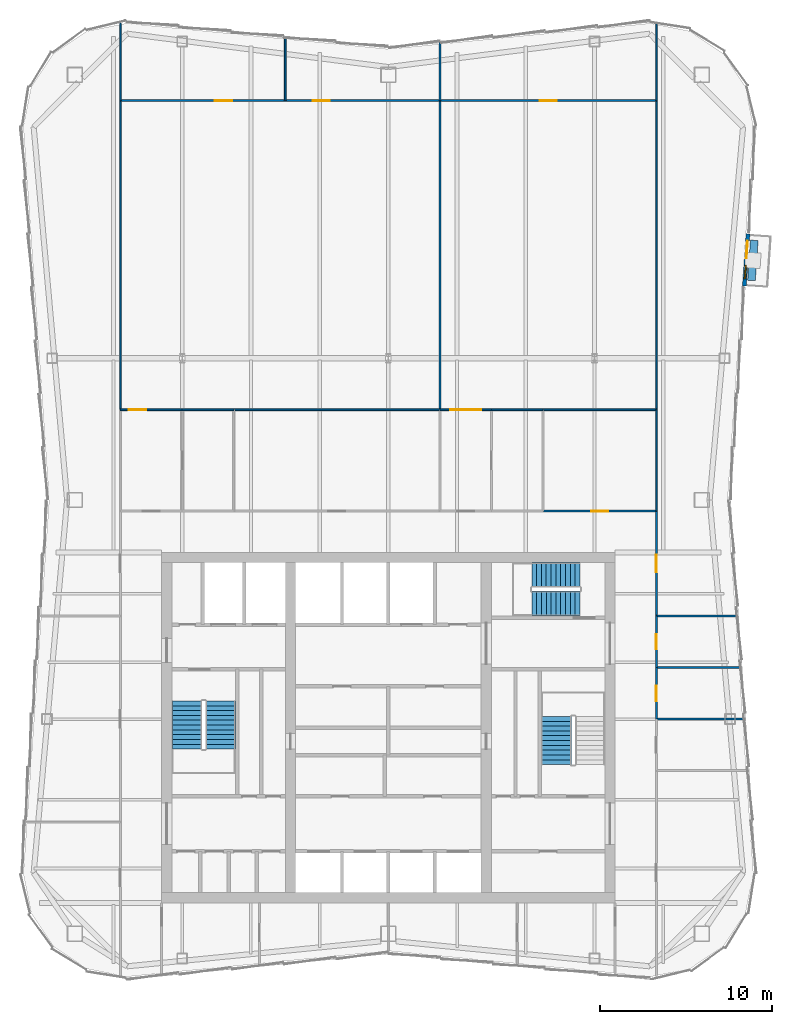
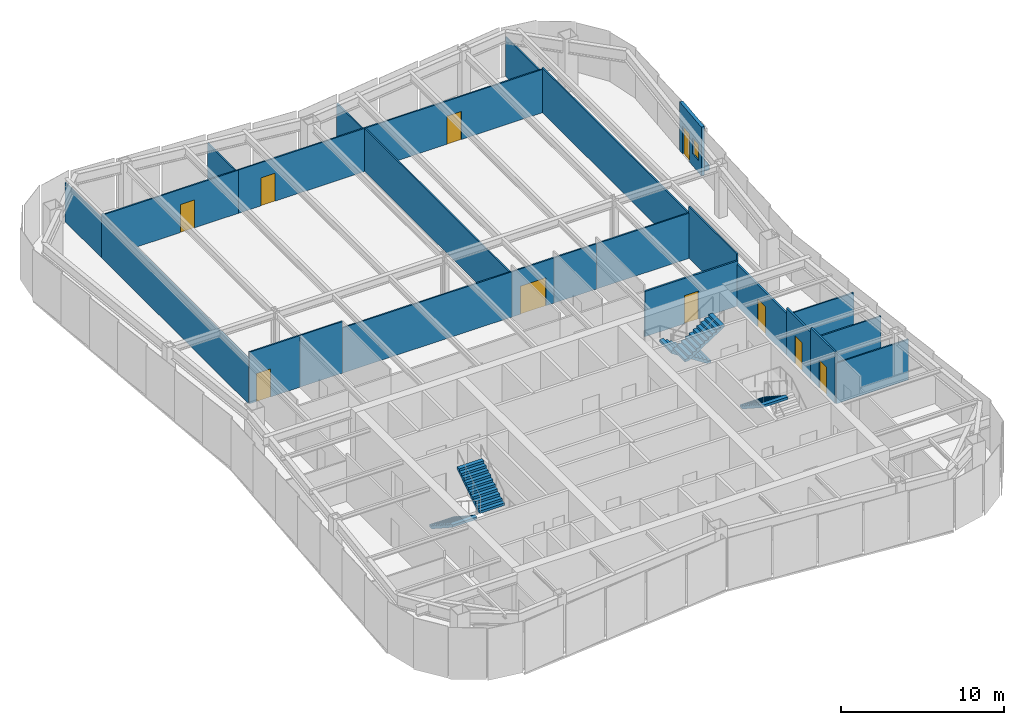
# One storey, part 8 of 11: 26 walls, 10 doors, 5 stair flights, 1 window, 11 openings, 3 elements without a shape of their own.
"""IFC4 building model written with IfcOpenShell, lengths in metres."""

from ifc_helpers import new_model, si_unit, direction, frame, frame_2d, origin, place, context, subcontext, project, spatial, polyline, rectangle, outline, extrude, material, layer, layer_set, type_object, element, fill, aggregate, save


model = new_model("IFC4")

# Units and contexts
model_context = context("Model", 3, precision=1e-05, world=origin(), true_north=direction((0.0, 1.0)))
body_context = subcontext(model_context, "Body", "Model", "MODEL_VIEW")
ifc_project = project(units=[si_unit("LENGTHUNIT", "METRE"), si_unit("AREAUNIT", "SQUARE_METRE"), si_unit("VOLUMEUNIT", "CUBIC_METRE"), si_unit("PLANEANGLEUNIT", "RADIAN"), si_unit("MASSUNIT", "GRAM", prefix="KILO")], contexts=[model_context])

# Site, building, storey
site_placement = place(None, origin())
site = spatial("IfcSite", under=ifc_project, at=site_placement, CompositionType="ELEMENT")
building_placement = place(site_placement, origin())
building = spatial("IfcBuilding", under=site, at=building_placement, Name="Verdant Reach Tower", CompositionType="ELEMENT")
storey_placement = place(building_placement, frame((0.0, 0.0, 298.0)))
storey = spatial("IfcBuildingStorey", under=building, at=storey_placement, Name="L68", CompositionType="ELEMENT", Elevation=298.0)

# Wall, openings, door, window
ifc_material_1 = material(Name="Insulated bronze aluminium panel wall", Category="aluminium")
ifc_layer_1 = layer(ifc_material_1, 0.219970703125)
ifc_layer_set_1 = layer_set([ifc_layer_1], Name="EN-INFILL WALL")
wall_type_1 = type_object("IfcWallType", Name="EN-INFILL WALL", PredefinedType="SOLIDWALL", material=ifc_layer_set_1)
wall_1_placement = place(storey_placement, frame((20.724365234375, 53.70556640625, 0.0), z_axis=(0.0, 0.0, 1.0), x_axis=(0.068802091615, 0.997630328423, 0.0)))
wall_1 = element("IfcWall", 1, at=wall_1_placement, inside=storey, type_object=wall_type_1, Name="External infill wall, balcony bay 1, L68", PredefinedType="SOLIDWALL", context=body_context, shape_type="SweptSolid", body=[
    extrude(rectangle(XDim=3.044677734375, YDim=0.22998046875, at=frame_2d((1.5224609375, 0.0))), origin(), (0.0, 0.0, 1.0), 3.64990234375),
])
opening_1_placement = place(wall_1_placement, frame((1.629638671875, 0.0, 0.0)))
opening_1 = element("IfcOpeningElement", 2, at=opening_1_placement, cuts=wall_1, Name="Opening BD1", PredefinedType="OPENING", context=body_context, shape_type="SweptSolid", body=[
    extrude(rectangle(XDim=1.0, YDim=2.10009765625, at=frame_2d((0.5, 1.050048828125))), frame((0.0, 0.125, 0.0), z_axis=(0.0, -1.0, 0.0), x_axis=(1.0, 0.0, 0.0)), (0.0, 0.0, 1.0), 0.25),
])
opening_2_placement = place(wall_1_placement, frame((0.414794921875, 0.0, 0.89990234375)))
opening_2 = element("IfcOpeningElement", 3, at=opening_2_placement, cuts=wall_1, Name="Opening BW1", PredefinedType="OPENING", context=body_context, shape_type="SweptSolid", body=[
    extrude(rectangle(XDim=0.800048828125, YDim=1.199951171875, at=frame_2d((0.39990234375, 0.60009765625))), frame((0.0, 0.125, 0.0), z_axis=(0.0, -1.0, 0.0), x_axis=(1.0, 0.0, 0.0)), (0.0, 0.0, 1.0), 0.25),
])
ifc_material_2 = material(Name="Aluminium framed glazed door", Category="aluminium")
door_type_1 = type_object("IfcDoorType", Name="EN-DOOR BALCONY", OperationType="NOTDEFINED", PredefinedType="DOOR", material=ifc_material_2)
door_1_placement = place(opening_1_placement, origin())
door_1 = element("IfcDoor", 4, at=door_1_placement, inside=storey, type_object=door_type_1, Name="Balcony door 1, L68", OperationType="SINGLE_SWING_RIGHT", OverallHeight=2.10009765625, OverallWidth=1.0, PredefinedType="DOOR", context=body_context, shape_type="SweptSolid", body=[
    extrude(rectangle(XDim=1.0, YDim=2.10009765625, at=frame_2d((0.5, 1.050048828125))), frame((0.0, 0.02490234375, 0.0), z_axis=(0.0, -1.0, 0.0), x_axis=(1.0, 0.0, 0.0)), (0.0, 0.0, 1.0), 0.050048828125),
])
fill(opening_1, door_1)
ifc_material_3 = material(Name="Aluminium framed glazing", Category="aluminium")
window_type = type_object("IfcWindowType", Name="EN-WINDOW BALCONY", PartitioningType="SINGLE_PANEL", PredefinedType="WINDOW", material=ifc_material_3)
window_placement = place(opening_2_placement, origin())
window = element("IfcWindow", 5, at=window_placement, inside=storey, type_object=window_type, Name="Balcony window 1, L68", OverallHeight=1.199951171875, OverallWidth=0.800048828125, PartitioningType="SINGLE_PANEL", PredefinedType="WINDOW", context=body_context, shape_type="SweptSolid", body=[
    extrude(rectangle(XDim=0.800048828125, YDim=1.199951171875, at=frame_2d((0.39990234375, 0.60009765625))), frame((0.0, 0.030029296875, 0.0), z_axis=(0.0, -1.0, 0.0), x_axis=(1.0, 0.0, 0.0)), (0.0, 0.0, 1.0), 0.06005859375),
])
fill(opening_2, window)

# Walls
ifc_material_4 = material(Name="Precast concrete C30/37", Category="concrete")
ifc_layer_2 = layer(ifc_material_4, 0.449951171875)
ifc_layer_set_2 = layer_set([ifc_layer_2], Name="EN-PLANTER")
wall_type_2 = type_object("IfcWallType", Name="EN-PLANTER", PredefinedType="USERDEFINED", material=ifc_layer_set_2)
wall_2_placement = place(storey_placement, frame((21.137451171875, 54.02783203125, 0.0), z_axis=(0.0, 0.0, 1.0), x_axis=(0.068827106414, 0.997628602949, 0.0)))
element("IfcWall", 6, at=wall_2_placement, inside=storey, type_object=wall_type_2, Name="Balcony planter 1, L68", ObjectType="PLANTER", PredefinedType="USERDEFINED", context=body_context, shape_type="SweptSolid", body=[
    extrude(rectangle(XDim=2.3447265625, YDim=0.449951171875, at=frame_2d((1.17236328125, 0.0))), origin(), (0.0, 0.0, 1.0), 0.39990234375),
])
ifc_material_5 = material(Name="Gypsum board on steel studs", Category="steel")
ifc_layer_3 = layer(ifc_material_5, 0.10009765625)
ifc_layer_set_3 = layer_set([ifc_layer_3], Name="FL-W1 Partition 100")
wall_type_3 = type_object("IfcWallType", Name="FL-W1 Partition 100", PredefinedType="PARTITIONING", material=ifc_layer_set_3)
wall_3_placement = place(storey_placement, frame((-15.60009765625, 46.5, 0.0), z_axis=(0.0, 0.0, 1.0), x_axis=(0.0, 1.0, 0.0)))
element("IfcWall", 7, at=wall_3_placement, inside=storey, type_object=wall_type_3, Name="Partition 68.20", PredefinedType="PARTITIONING", context=body_context, shape_type="SweptSolid", body=[
    extrude(rectangle(XDim=18.0, YDim=0.10009765625, at=frame_2d((9.0, 0.0))), origin(), (0.0, 0.0, 1.0), 3.35009765625),
])
wall_4_placement = place(storey_placement, frame((-15.60009765625, 64.5, 0.0), z_axis=(0.0, 0.0, 1.0), x_axis=(0.0, 1.0, 0.0)))
element("IfcWall", 8, at=wall_4_placement, inside=storey, type_object=wall_type_3, Name="Partition 68.21", PredefinedType="PARTITIONING", context=body_context, shape_type="SweptSolid", body=[
    extrude(rectangle(XDim=4.510498046875, YDim=0.10009765625, at=frame_2d((2.25537109375, 0.0))), origin(), (0.0, 0.0, 1.0), 2.929931640625),
])
wall_5_placement = place(storey_placement, frame((20.709228515625, 28.5, 0.0), z_axis=(0.0, 0.0, 1.0), x_axis=(-1.0, 0.0, 0.0)))
element("IfcWall", 9, at=wall_5_placement, inside=storey, type_object=wall_type_3, Name="Partition 68.23", PredefinedType="PARTITIONING", context=body_context, shape_type="SweptSolid", body=[
    extrude(rectangle(XDim=5.109130859375, YDim=0.10009765625, at=frame_2d((2.5546875, 0.0))), origin(), (0.0, 0.0, 1.0), 3.0400390625),
])
wall_6_placement = place(storey_placement, frame((20.50244140625, 31.5, 0.0), z_axis=(0.0, 0.0, 1.0), x_axis=(-1.0, 0.0, 0.0)))
element("IfcWall", 10, at=wall_6_placement, inside=storey, type_object=wall_type_3, Name="Partition 68.24", PredefinedType="PARTITIONING", context=body_context, shape_type="SweptSolid", body=[
    extrude(rectangle(XDim=4.90234375, YDim=0.10009765625, at=frame_2d((2.451171875, 0.0))), origin(), (0.0, 0.0, 1.0), 3.0400390625),
])
wall_7_placement = place(storey_placement, frame((20.29541015625, 34.5, 0.0), z_axis=(0.0, 0.0, 1.0), x_axis=(-1.0, 0.0, 0.0)))
element("IfcWall", 11, at=wall_7_placement, inside=storey, type_object=wall_type_3, Name="Partition 68.25", PredefinedType="PARTITIONING", context=body_context, shape_type="SweptSolid", body=[
    extrude(rectangle(XDim=4.6953125, YDim=0.10009765625, at=frame_2d((2.34765625, 0.0))), origin(), (0.0, 0.0, 1.0), 3.0400390625),
])
wall_8_placement = place(storey_placement, frame((15.60009765625, 46.5, 0.0), z_axis=(0.0, 0.0, 1.0), x_axis=(0.0, -1.0, 0.0)))
element("IfcWall", 12, at=wall_8_placement, inside=storey, type_object=wall_type_3, Name="Partition 68.26", PredefinedType="PARTITIONING", context=body_context, shape_type="SweptSolid", body=[
    extrude(rectangle(XDim=5.89990234375, YDim=0.10009765625, at=frame_2d((2.949951171875, 0.0))), origin(), (0.0, 0.0, 1.0), 3.8701171875),
])
wall_9_placement = place(storey_placement, frame((15.60009765625, 64.5, 0.0), z_axis=(0.0, 0.0, 1.0), x_axis=(0.0, -1.0, 0.0)))
element("IfcWall", 13, at=wall_9_placement, inside=storey, type_object=wall_type_3, Name="Partition 68.27", PredefinedType="PARTITIONING", context=body_context, shape_type="SweptSolid", body=[
    extrude(rectangle(XDim=18.0, YDim=0.10009765625, at=frame_2d((9.0, 0.0))), origin(), (0.0, 0.0, 1.0), 3.35009765625),
])
wall_10_placement = place(storey_placement, frame((15.60009765625, 69.010498046875, 0.0), z_axis=(0.0, 0.0, 1.0), x_axis=(0.0, -1.0, 0.0)))
element("IfcWall", 14, at=wall_10_placement, inside=storey, type_object=wall_type_3, Name="Partition 68.28", PredefinedType="PARTITIONING", context=body_context, shape_type="SweptSolid", body=[
    extrude(rectangle(XDim=4.510498046875, YDim=0.10009765625, at=frame_2d((2.25537109375, 0.0))), origin(), (0.0, 0.0, 1.0), 2.929931640625),
])

# Wall, opening, door
wall_11_placement = place(storey_placement, frame((-15.60009765625, 46.5, 0.0), z_axis=(0.0, 0.0, 1.0), x_axis=(1.0, 0.0, 0.0)))
wall_11 = element("IfcWall", 15, at=wall_11_placement, inside=storey, type_object=wall_type_3, Name="Partition 68.33", PredefinedType="PARTITIONING", context=body_context, shape_type="SweptSolid", body=[
    extrude(rectangle(XDim=3.60400390625, YDim=0.10009765625, at=frame_2d((1.802001953125, 0.0))), origin(), (0.0, 0.0, 1.0), 3.8701171875),
])
opening_3_placement = place(wall_11_placement, frame((0.501953125, 0.0, 0.0)))
opening_3 = element("IfcOpeningElement", 16, at=opening_3_placement, cuts=wall_11, Name="Opening D3", PredefinedType="OPENING", context=body_context, shape_type="SweptSolid", body=[
    extrude(rectangle(XDim=1.0, YDim=2.10009765625, at=frame_2d((0.5, 1.050048828125))), frame((0.0, 0.06005859375, 0.0), z_axis=(0.0, -1.0, 0.0), x_axis=(1.0, 0.0, 0.0)), (0.0, 0.0, 1.0), 0.1201171875),
])
ifc_material_6 = material(Name="Painted timber door leaf", Category="wood")
door_type_2 = type_object("IfcDoorType", Name="FL-D3 Door 1000x2100", OperationType="NOTDEFINED", PredefinedType="DOOR", material=ifc_material_6)
door_2_placement = place(opening_3_placement, origin())
door_2 = element("IfcDoor", 17, at=door_2_placement, inside=storey, type_object=door_type_2, Name="Door 68-018", OperationType="SINGLE_SWING_LEFT", OverallHeight=2.10009765625, OverallWidth=1.0, PredefinedType="DOOR", context=body_context, shape_type="SweptSolid", body=[
    extrude(rectangle(XDim=1.0, YDim=2.10009765625, at=frame_2d((0.5, 1.050048828125))), frame((0.0, 0.02490234375, 0.0), z_axis=(0.0, -1.0, 0.0), x_axis=(1.0, 0.0, 0.0)), (0.0, 0.0, 1.0), 0.050048828125),
])
fill(opening_3, door_2)

# Walls
wall_12_placement = place(storey_placement, frame((-8.99609375, 46.5, 0.0), z_axis=(0.0, 0.0, 1.0), x_axis=(-1.0, 0.0, 0.0)))
element("IfcWall", 18, at=wall_12_placement, inside=storey, type_object=wall_type_3, Name="Partition 68.35", PredefinedType="PARTITIONING", context=body_context, shape_type="SweptSolid", body=[
    extrude(rectangle(XDim=3.0078125, YDim=0.10009765625, at=frame_2d((1.50390625, 0.0))), origin(), (0.0, 0.0, 1.0), 3.8701171875),
])
wall_13_placement = place(storey_placement, frame((3.0, 46.5, 0.0), z_axis=(0.0, 0.0, 1.0), x_axis=(-1.0, 0.0, 0.0)))
element("IfcWall", 19, at=wall_13_placement, inside=storey, type_object=wall_type_3, Name="Partition 68.36", PredefinedType="PARTITIONING", context=body_context, shape_type="SweptSolid", body=[
    extrude(rectangle(XDim=12.00390625, YDim=0.10009765625, at=frame_2d((6.001953125, 0.0))), origin(), (0.0, 0.0, 1.0), 3.389892578125),
])

# Wall, opening, door
wall_14_placement = place(storey_placement, frame((-15.60009765625, 64.5, 0.0), z_axis=(0.0, 0.0, 1.0), x_axis=(1.0, 0.0, 0.0)))
wall_14 = element("IfcWall", 20, at=wall_14_placement, inside=storey, type_object=wall_type_3, Name="Partition 68.38", PredefinedType="PARTITIONING", context=body_context, shape_type="SweptSolid", body=[
    extrude(rectangle(XDim=9.60009765625, YDim=0.10009765625, at=frame_2d((4.800048828125, 0.0))), origin(), (0.0, 0.0, 1.0), 3.239990234375),
])
opening_4_placement = place(wall_14_placement, frame((5.5, 0.0, 0.0)))
opening_4 = element("IfcOpeningElement", 21, at=opening_4_placement, cuts=wall_14, Name="Opening D3", PredefinedType="OPENING", context=body_context, shape_type="SweptSolid", body=[
    extrude(rectangle(XDim=1.0, YDim=2.10009765625, at=frame_2d((0.5, 1.050048828125))), frame((0.0, 0.06005859375, 0.0), z_axis=(0.0, -1.0, 0.0), x_axis=(1.0, 0.0, 0.0)), (0.0, 0.0, 1.0), 0.1201171875),
])
door_3_placement = place(opening_4_placement, origin())
door_3 = element("IfcDoor", 22, at=door_3_placement, inside=storey, type_object=door_type_2, Name="Door 68-019", OperationType="SINGLE_SWING_RIGHT", OverallHeight=2.10009765625, OverallWidth=1.0, PredefinedType="DOOR", context=body_context, shape_type="SweptSolid", body=[
    extrude(rectangle(XDim=1.0, YDim=2.10009765625, at=frame_2d((0.5, 1.050048828125))), frame((0.0, 0.02490234375, 0.0), z_axis=(0.0, -1.0, 0.0), x_axis=(1.0, 0.0, 0.0)), (0.0, 0.0, 1.0), 0.050048828125),
])
fill(opening_4, door_3)

wall_15_placement = place(storey_placement, frame((-6.0, 64.5, 0.0), z_axis=(0.0, 0.0, 1.0), x_axis=(1.0, 0.0, 0.0)))
wall_15 = element("IfcWall", 23, at=wall_15_placement, inside=storey, type_object=wall_type_3, Name="Partition 68.39", PredefinedType="PARTITIONING", context=body_context, shape_type="SweptSolid", body=[
    extrude(rectangle(XDim=9.0, YDim=0.10009765625, at=frame_2d((4.5, 0.0))), origin(), (0.0, 0.0, 1.0), 3.239990234375),
])
opening_5_placement = place(wall_15_placement, frame((1.60009765625, 0.0, 0.0)))
opening_5 = element("IfcOpeningElement", 24, at=opening_5_placement, cuts=wall_15, Name="Opening D3", PredefinedType="OPENING", context=body_context, shape_type="SweptSolid", body=[
    extrude(rectangle(XDim=1.0, YDim=2.10009765625, at=frame_2d((0.5, 1.050048828125))), frame((0.0, 0.06005859375, 0.0), z_axis=(0.0, -1.0, 0.0), x_axis=(1.0, 0.0, 0.0)), (0.0, 0.0, 1.0), 0.1201171875),
])
door_4_placement = place(opening_5_placement, origin())
door_4 = element("IfcDoor", 25, at=door_4_placement, inside=storey, type_object=door_type_2, Name="Door 68-020", OperationType="SINGLE_SWING_LEFT", OverallHeight=2.10009765625, OverallWidth=1.0, PredefinedType="DOOR", context=body_context, shape_type="SweptSolid", body=[
    extrude(rectangle(XDim=1.0, YDim=2.10009765625, at=frame_2d((0.5, 1.050048828125))), frame((0.0, 0.02490234375, 0.0), z_axis=(0.0, -1.0, 0.0), x_axis=(1.0, 0.0, 0.0)), (0.0, 0.0, 1.0), 0.050048828125),
])
fill(opening_5, door_4)

# Walls
wall_16_placement = place(storey_placement, frame((3.0, 46.5, 0.0), z_axis=(0.0, 0.0, 1.0), x_axis=(0.0, 1.0, 0.0)))
element("IfcWall", 26, at=wall_16_placement, inside=storey, type_object=wall_type_3, Name="Partition 68.40", PredefinedType="PARTITIONING", context=body_context, shape_type="SweptSolid", body=[
    extrude(rectangle(XDim=18.0, YDim=0.10009765625, at=frame_2d((9.0, 0.0))), origin(), (0.0, 0.0, 1.0), 3.239990234375),
])
wall_17_placement = place(storey_placement, frame((-6.0, 64.5, 0.0), z_axis=(0.0, 0.0, 1.0), x_axis=(0.0, 1.0, 0.0)))
element("IfcWall", 27, at=wall_17_placement, inside=storey, type_object=wall_type_3, Name="Partition 68.41", PredefinedType="PARTITIONING", context=body_context, shape_type="SweptSolid", body=[
    extrude(rectangle(XDim=3.670166015625, YDim=0.10009765625, at=frame_2d((1.8349609375, 0.0))), origin(), (0.0, 0.0, 1.0), 3.0400390625),
])
wall_18_placement = place(storey_placement, frame((3.0, 64.5, 0.0), z_axis=(0.0, 0.0, 1.0), x_axis=(0.0, 1.0, 0.0)))
element("IfcWall", 28, at=wall_18_placement, inside=storey, type_object=wall_type_3, Name="Partition 68.42", PredefinedType="PARTITIONING", context=body_context, shape_type="SweptSolid", body=[
    extrude(rectangle(XDim=3.375, YDim=0.10009765625, at=frame_2d((1.6875, 0.0))), origin(), (0.0, 0.0, 1.0), 3.0400390625),
])

# Wall, opening, door
wall_19_placement = place(storey_placement, frame((3.0, 46.5, 0.0), z_axis=(0.0, 0.0, 1.0), x_axis=(1.0, 0.0, 0.0)))
wall_19 = element("IfcWall", 29, at=wall_19_placement, inside=storey, type_object=wall_type_3, Name="Partition 68.44", PredefinedType="PARTITIONING", context=body_context, shape_type="SweptSolid", body=[
    extrude(rectangle(XDim=3.00390625, YDim=0.10009765625, at=frame_2d((1.501953125, 0.0))), origin(), (0.0, 0.0, 1.0), 3.389892578125),
])
opening_6_placement = place(wall_19_placement, frame((0.60205078125, 0.0, 0.0)))
opening_6 = element("IfcOpeningElement", 30, at=opening_6_placement, cuts=wall_19, Name="Opening D5", PredefinedType="OPENING", context=body_context, shape_type="SweptSolid", body=[
    extrude(rectangle(XDim=1.800048828125, YDim=2.10009765625, at=frame_2d((0.89990234375, 1.050048828125))), frame((0.0, 0.06005859375, 0.0), z_axis=(0.0, -1.0, 0.0), x_axis=(1.0, 0.0, 0.0)), (0.0, 0.0, 1.0), 0.1201171875),
])
ifc_material_7 = material(Name="Painted timber door leaves", Category="wood")
door_type_3 = type_object("IfcDoorType", Name="FL-D5 Double door 1800x2100", OperationType="DOUBLE_DOOR_SINGLE_SWING", PredefinedType="DOOR", material=ifc_material_7)
door_5_placement = place(opening_6_placement, origin())
door_5 = element("IfcDoor", 31, at=door_5_placement, inside=storey, type_object=door_type_3, Name="Door 68-022", OperationType="DOUBLE_DOOR_SINGLE_SWING", OverallHeight=2.10009765625, OverallWidth=1.800048828125, PredefinedType="DOOR", context=body_context, shape_type="SweptSolid", body=[
    extrude(rectangle(XDim=1.800048828125, YDim=2.10009765625, at=frame_2d((0.89990234375, 1.050048828125))), frame((0.0, 0.02490234375, 0.0), z_axis=(0.0, -1.0, 0.0), x_axis=(1.0, 0.0, 0.0)), (0.0, 0.0, 1.0), 0.050048828125),
])
fill(opening_6, door_5)

# Walls
wall_20_placement = place(storey_placement, frame((9.00390625, 46.5, 0.0), z_axis=(0.0, 0.0, 1.0), x_axis=(-1.0, 0.0, 0.0)))
element("IfcWall", 32, at=wall_20_placement, inside=storey, type_object=wall_type_3, Name="Partition 68.46", PredefinedType="PARTITIONING", context=body_context, shape_type="SweptSolid", body=[
    extrude(rectangle(XDim=3.0078125, YDim=0.10009765625, at=frame_2d((1.50390625, 0.0))), origin(), (0.0, 0.0, 1.0), 3.389892578125),
])
wall_21_placement = place(storey_placement, frame((15.60009765625, 46.5, 0.0), z_axis=(0.0, 0.0, 1.0), x_axis=(-1.0, 0.0, 0.0)))
element("IfcWall", 33, at=wall_21_placement, inside=storey, type_object=wall_type_3, Name="Partition 68.47", PredefinedType="PARTITIONING", context=body_context, shape_type="SweptSolid", body=[
    extrude(rectangle(XDim=6.60400390625, YDim=0.10009765625, at=frame_2d((3.302001953125, 0.0))), origin(), (0.0, 0.0, 1.0), 3.389892578125),
])

# Wall, opening, door
wall_22_placement = place(storey_placement, frame((3.0, 64.5, 0.0), z_axis=(0.0, 0.0, 1.0), x_axis=(1.0, 0.0, 0.0)))
wall_22 = element("IfcWall", 34, at=wall_22_placement, inside=storey, type_object=wall_type_3, Name="Partition 68.48", PredefinedType="PARTITIONING", context=body_context, shape_type="SweptSolid", body=[
    extrude(rectangle(XDim=12.60009765625, YDim=0.10009765625, at=frame_2d((6.300048828125, 0.0))), origin(), (0.0, 0.0, 1.0), 3.239990234375),
])
opening_7_placement = place(wall_22_placement, frame((5.800048828125, 0.0, 0.0)))
opening_7 = element("IfcOpeningElement", 35, at=opening_7_placement, cuts=wall_22, Name="Opening D3", PredefinedType="OPENING", context=body_context, shape_type="SweptSolid", body=[
    extrude(rectangle(XDim=1.0, YDim=2.10009765625, at=frame_2d((0.5, 1.050048828125))), frame((0.0, 0.06005859375, 0.0), z_axis=(0.0, -1.0, 0.0), x_axis=(1.0, 0.0, 0.0)), (0.0, 0.0, 1.0), 0.1201171875),
])
door_6_placement = place(opening_7_placement, origin())
door_6 = element("IfcDoor", 36, at=door_6_placement, inside=storey, type_object=door_type_2, Name="Door 68-023", OperationType="SINGLE_SWING_LEFT", OverallHeight=2.10009765625, OverallWidth=1.0, PredefinedType="DOOR", context=body_context, shape_type="SweptSolid", body=[
    extrude(rectangle(XDim=1.0, YDim=2.10009765625, at=frame_2d((0.5, 1.050048828125))), frame((0.0, 0.02490234375, 0.0), z_axis=(0.0, -1.0, 0.0), x_axis=(1.0, 0.0, 0.0)), (0.0, 0.0, 1.0), 0.050048828125),
])
fill(opening_7, door_6)

ifc_material_8 = material(Name="Gypsum board on steel studs, fire rated", Category="steel")
ifc_layer_4 = layer(ifc_material_8, 0.125)
ifc_layer_set_4 = layer_set([ifc_layer_4], Name="FL-W2 Corridor wall 125")
wall_type_4 = type_object("IfcWallType", Name="FL-W2 Corridor wall 125", PredefinedType="PARTITIONING", material=ifc_layer_set_4)
wall_23_placement = place(storey_placement, frame((15.60009765625, 31.5, 0.0), z_axis=(0.0, 0.0, 1.0), x_axis=(0.0, -1.0, 0.0)))
wall_23 = element("IfcWall", 37, at=wall_23_placement, inside=storey, type_object=wall_type_4, Name="Partition 68.06", PredefinedType="PARTITIONING", context=body_context, shape_type="SweptSolid", body=[
    extrude(rectangle(XDim=3.0, YDim=0.125, at=frame_2d((1.5, 0.0))), origin(), (0.0, 0.0, 1.0), 3.8701171875),
])
opening_8_placement = place(wall_23_placement, frame((1.050048828125, 0.0, 0.0)))
opening_8 = element("IfcOpeningElement", 38, at=opening_8_placement, cuts=wall_23, Name="Opening D1", PredefinedType="OPENING", context=body_context, shape_type="SweptSolid", body=[
    extrude(rectangle(XDim=0.89990234375, YDim=2.10009765625, at=frame_2d((0.449951171875, 1.050048828125))), frame((0.0, 0.072509765625, 0.0), z_axis=(0.0, -1.0, 0.0), x_axis=(1.0, 0.0, 0.0)), (0.0, 0.0, 1.0), 0.14501953125),
])
door_type_4 = type_object("IfcDoorType", Name="FL-D1 Door 900x2100", OperationType="NOTDEFINED", PredefinedType="DOOR", material=ifc_material_6)
door_7_placement = place(opening_8_placement, origin())
door_7 = element("IfcDoor", 39, at=door_7_placement, inside=storey, type_object=door_type_4, Name="Door 68-006", OperationType="SINGLE_SWING_RIGHT", OverallHeight=2.10009765625, OverallWidth=0.89990234375, PredefinedType="DOOR", context=body_context, shape_type="SweptSolid", body=[
    extrude(rectangle(XDim=0.89990234375, YDim=2.10009765625, at=frame_2d((0.449951171875, 1.050048828125))), frame((0.0, 0.02490234375, 0.0), z_axis=(0.0, -1.0, 0.0), x_axis=(1.0, 0.0, 0.0)), (0.0, 0.0, 1.0), 0.050048828125),
])
fill(opening_8, door_7)

wall_24_placement = place(storey_placement, frame((15.60009765625, 34.5, 0.0), z_axis=(0.0, 0.0, 1.0), x_axis=(0.0, -1.0, 0.0)))
wall_24 = element("IfcWall", 40, at=wall_24_placement, inside=storey, type_object=wall_type_4, Name="Partition 68.07", PredefinedType="PARTITIONING", context=body_context, shape_type="SweptSolid", body=[
    extrude(rectangle(XDim=3.0, YDim=0.125, at=frame_2d((1.5, 0.0))), origin(), (0.0, 0.0, 1.0), 3.5400390625),
])
opening_9_placement = place(wall_24_placement, frame((1.050048828125, 0.0, 0.0)))
opening_9 = element("IfcOpeningElement", 41, at=opening_9_placement, cuts=wall_24, Name="Opening D1", PredefinedType="OPENING", context=body_context, shape_type="SweptSolid", body=[
    extrude(rectangle(XDim=0.89990234375, YDim=2.10009765625, at=frame_2d((0.449951171875, 1.050048828125))), frame((0.0, 0.072509765625, 0.0), z_axis=(0.0, -1.0, 0.0), x_axis=(1.0, 0.0, 0.0)), (0.0, 0.0, 1.0), 0.14501953125),
])
door_8_placement = place(opening_9_placement, origin())
door_8 = element("IfcDoor", 42, at=door_8_placement, inside=storey, type_object=door_type_4, Name="Door 68-007", OperationType="SINGLE_SWING_LEFT", OverallHeight=2.10009765625, OverallWidth=0.89990234375, PredefinedType="DOOR", context=body_context, shape_type="SweptSolid", body=[
    extrude(rectangle(XDim=0.89990234375, YDim=2.10009765625, at=frame_2d((0.449951171875, 1.050048828125))), frame((0.0, 0.02490234375, 0.0), z_axis=(0.0, -1.0, 0.0), x_axis=(1.0, 0.0, 0.0)), (0.0, 0.0, 1.0), 0.050048828125),
])
fill(opening_9, door_8)

wall_25_placement = place(storey_placement, frame((15.60009765625, 40.60400390625, 0.0), z_axis=(0.0, 0.0, 1.0), x_axis=(0.0, -1.0, 0.0)))
wall_25 = element("IfcWall", 43, at=wall_25_placement, inside=storey, type_object=wall_type_4, Name="Partition 68.08", PredefinedType="PARTITIONING", context=body_context, shape_type="SweptSolid", body=[
    extrude(rectangle(XDim=6.10400390625, YDim=0.125, at=frame_2d((3.052001953125, 0.0))), origin(), (0.0, 0.0, 1.0), 3.139892578125),
])
opening_10_placement = place(wall_25_placement, frame((2.552001953125, 0.0, 0.0)))
opening_10 = element("IfcOpeningElement", 44, at=opening_10_placement, cuts=wall_25, Name="Opening D2", PredefinedType="OPENING", context=body_context, shape_type="SweptSolid", body=[
    extrude(rectangle(XDim=1.0, YDim=2.10009765625, at=frame_2d((0.5, 1.050048828125))), frame((0.0, 0.072509765625, 0.0), z_axis=(0.0, -1.0, 0.0), x_axis=(1.0, 0.0, 0.0)), (0.0, 0.0, 1.0), 0.14501953125),
])
ifc_material_9 = material(Name="Timber door leaf, fire rated", Category="wood")
door_type_5 = type_object("IfcDoorType", Name="FL-D2 Entrance door 1000x2100 FD30", OperationType="NOTDEFINED", PredefinedType="DOOR", material=ifc_material_9)
door_9_placement = place(opening_10_placement, origin())
door_9 = element("IfcDoor", 45, at=door_9_placement, inside=storey, type_object=door_type_5, Name="Door 68-008", OperationType="SINGLE_SWING_RIGHT", OverallHeight=2.10009765625, OverallWidth=1.0, PredefinedType="DOOR", context=body_context, shape_type="SweptSolid", body=[
    extrude(rectangle(XDim=1.0, YDim=2.10009765625, at=frame_2d((0.5, 1.050048828125))), frame((0.0, 0.02490234375, 0.0), z_axis=(0.0, -1.0, 0.0), x_axis=(1.0, 0.0, 0.0)), (0.0, 0.0, 1.0), 0.050048828125),
])
fill(opening_10, door_9)

wall_26_placement = place(storey_placement, frame((9.0, 40.60009765625, 0.0), z_axis=(0.0, 0.0, 1.0), x_axis=(1.0, 0.0, 0.0)))
wall_26 = element("IfcWall", 46, at=wall_26_placement, inside=storey, type_object=wall_type_4, Name="Partition 68.16", PredefinedType="PARTITIONING", context=body_context, shape_type="SweptSolid", body=[
    extrude(rectangle(XDim=6.60009765625, YDim=0.125, at=frame_2d((3.300048828125, 0.0))), origin(), (0.0, 0.0, 1.0), 3.389892578125),
])
opening_11_placement = place(wall_26_placement, frame((2.800048828125, 0.0, 0.0)))
opening_11 = element("IfcOpeningElement", 47, at=opening_11_placement, cuts=wall_26, Name="Opening D2", PredefinedType="OPENING", context=body_context, shape_type="SweptSolid", body=[
    extrude(rectangle(XDim=1.0, YDim=2.10009765625, at=frame_2d((0.5, 1.050048828125))), frame((0.0, 0.072509765625, 0.0), z_axis=(0.0, -1.0, 0.0), x_axis=(1.0, 0.0, 0.0)), (0.0, 0.0, 1.0), 0.14501953125),
])
door_10_placement = place(opening_11_placement, origin())
door_10 = element("IfcDoor", 48, at=door_10_placement, inside=storey, type_object=door_type_5, Name="Door 68-014", OperationType="SINGLE_SWING_RIGHT", OverallHeight=2.10009765625, OverallWidth=1.0, PredefinedType="DOOR", context=body_context, shape_type="SweptSolid", body=[
    extrude(rectangle(XDim=1.0, YDim=2.10009765625, at=frame_2d((0.5, 1.050048828125))), frame((0.0, 0.02490234375, 0.0), z_axis=(0.0, -1.0, 0.0), x_axis=(1.0, 0.0, 0.0)), (0.0, 0.0, 1.0), 0.050048828125),
])
fill(opening_11, door_10)

# Stair, stair flights
ifc_material_10 = material(Name="Concrete C40/50", Category="concrete")
stair_type = type_object("IfcStairType", Name="CO-STAIR", PredefinedType="HALF_TURN_STAIR", material=ifc_material_10)
stair_1_placement = place(storey_placement, origin())
stair_1 = element("IfcStair", 49, at=stair_1_placement, inside=storey, type_object=stair_type, Name="L68 Exit stair 1", PredefinedType="HALF_TURN_STAIR")
stair_flight_type = type_object("IfcStairFlightType", Name="CO-STAIR-FLIGHT", PredefinedType="STRAIGHT", material=ifc_material_10)
stair_flight_1_placement = place(storey_placement, frame((-11.72509765625, 29.550048828125, 0.0), z_axis=(0.0, 0.0, 1.0), x_axis=(0.0, -1.0, 0.0)))
stair_flight_1 = element("IfcStairFlight", 50, at=stair_flight_1_placement, type_object=stair_flight_type, Name="ST-1 flight 1", NumberOfRisers=11, NumberOfTreads=10, PredefinedType="STRAIGHT", RiserHeight=0.181818182, TreadLength=0.28, context=body_context, shape_type="SweptSolid", body=[
    extrude(outline(polyline([(0.0, 0.0), (0.0, 0.181884765625), (0.280029296875, 0.181884765625), (0.280029296875, 0.363525390625), (0.56005859375, 0.363525390625), (0.56005859375, 0.54541015625), (0.840087890625, 0.54541015625), (0.840087890625, 0.727294921875), (1.1201171875, 0.727294921875), (1.1201171875, 0.9091796875), (1.39990234375, 0.9091796875), (1.39990234375, 1.0908203125), (1.679931640625, 1.0908203125), (1.679931640625, 1.272705078125), (1.9599609375, 1.272705078125), (1.9599609375, 1.45458984375), (2.239990234375, 1.45458984375), (2.239990234375, 1.636474609375), (2.52001953125, 1.636474609375), (2.52001953125, 1.818115234375), (2.800048828125, 1.818115234375), (2.800048828125, 2.0), (2.800048828125, 1.639404296875), (0.275146484375, 0.0), (0.0, 0.0)])), frame((0.0, 0.875, 0.0), z_axis=(0.0, -1.0, 0.0), x_axis=(1.0, 0.0, 0.0)), (0.0, 0.0, 1.0), 1.75),
])
stair_flight_2_placement = place(storey_placement, frame((-9.77490234375, 26.75, 2.0), z_axis=(0.0, 0.0, 1.0), x_axis=(0.0, 1.0, 0.0)))
stair_flight_2 = element("IfcStairFlight", 51, at=stair_flight_2_placement, type_object=stair_flight_type, Name="ST-1 flight 2", NumberOfRisers=11, NumberOfTreads=10, PredefinedType="STRAIGHT", RiserHeight=0.181818182, TreadLength=0.28, context=body_context, shape_type="SweptSolid", body=[
    extrude(outline(polyline([(0.0, 0.0), (0.0, 0.181884765625), (0.280029296875, 0.181884765625), (0.280029296875, 0.363525390625), (0.56005859375, 0.363525390625), (0.56005859375, 0.54541015625), (0.840087890625, 0.54541015625), (0.840087890625, 0.727294921875), (1.1201171875, 0.727294921875), (1.1201171875, 0.9091796875), (1.39990234375, 0.9091796875), (1.39990234375, 1.0908203125), (1.679931640625, 1.0908203125), (1.679931640625, 1.272705078125), (1.9599609375, 1.272705078125), (1.9599609375, 1.45458984375), (2.239990234375, 1.45458984375), (2.239990234375, 1.636474609375), (2.52001953125, 1.636474609375), (2.52001953125, 1.818115234375), (2.800048828125, 1.818115234375), (2.800048828125, 2.0), (2.800048828125, 1.639404296875), (0.275146484375, 0.0), (0.0, 0.0)])), frame((0.0, 0.875, 0.0), z_axis=(0.0, -1.0, 0.0), x_axis=(1.0, 0.0, 0.0)), (0.0, 0.0, 1.0), 1.75),
])
aggregate(stair_1, [stair_flight_1, stair_flight_2])

# Stair, stair flight
stair_2_placement = place(storey_placement, origin())
stair_2 = element("IfcStair", 52, at=stair_2_placement, inside=storey, type_object=stair_type, Name="L68 Exit stair 2", PredefinedType="HALF_TURN_STAIR")
stair_flight_3_placement = place(storey_placement, frame((9.77490234375, 28.64990234375, 2.0), z_axis=(0.0, 0.0, 1.0), x_axis=(0.0, -1.0, 0.0)))
stair_flight_3 = element("IfcStairFlight", 53, at=stair_flight_3_placement, type_object=stair_flight_type, Name="ST-2 flight 2", NumberOfRisers=11, NumberOfTreads=10, PredefinedType="STRAIGHT", RiserHeight=0.181818182, TreadLength=0.28, context=body_context, shape_type="SweptSolid", body=[
    extrude(outline(polyline([(0.0, 0.0), (0.0, 0.181884765625), (0.280029296875, 0.181884765625), (0.280029296875, 0.363525390625), (0.56005859375, 0.363525390625), (0.56005859375, 0.54541015625), (0.840087890625, 0.54541015625), (0.840087890625, 0.727294921875), (1.1201171875, 0.727294921875), (1.1201171875, 0.9091796875), (1.39990234375, 0.9091796875), (1.39990234375, 1.0908203125), (1.679931640625, 1.0908203125), (1.679931640625, 1.272705078125), (1.9599609375, 1.272705078125), (1.9599609375, 1.45458984375), (2.239990234375, 1.45458984375), (2.239990234375, 1.636474609375), (2.52001953125, 1.636474609375), (2.52001953125, 1.818115234375), (2.800048828125, 1.818115234375), (2.800048828125, 2.0), (2.800048828125, 1.639404296875), (0.275146484375, 0.0), (0.0, 0.0)])), frame((0.0, 0.875, 0.0), z_axis=(0.0, -1.0, 0.0), x_axis=(1.0, 0.0, 0.0)), (0.0, 0.0, 1.0), 1.75),
])
aggregate(stair_2, [stair_flight_3])

# Stair, stair flights
stair_3_placement = place(storey_placement, origin())
stair_3 = element("IfcStair", 54, at=stair_3_placement, inside=storey, type_object=stair_type, Name="L68 Exit stair 3", PredefinedType="HALF_TURN_STAIR")
stair_flight_4_placement = place(storey_placement, frame((11.14990234375, 36.875, 0.0), z_axis=(0.0, 0.0, 1.0), x_axis=(-1.0, 0.0, 0.0)))
stair_flight_4 = element("IfcStairFlight", 55, at=stair_flight_4_placement, type_object=stair_flight_type, Name="ST-3 flight 1", NumberOfRisers=11, NumberOfTreads=10, PredefinedType="STRAIGHT", RiserHeight=0.181818182, TreadLength=0.28, context=body_context, shape_type="SweptSolid", body=[
    extrude(outline(polyline([(0.0, 0.0), (0.0, 0.181884765625), (0.280029296875, 0.181884765625), (0.280029296875, 0.363525390625), (0.56005859375, 0.363525390625), (0.56005859375, 0.54541015625), (0.840087890625, 0.54541015625), (0.840087890625, 0.727294921875), (1.1201171875, 0.727294921875), (1.1201171875, 0.9091796875), (1.39990234375, 0.9091796875), (1.39990234375, 1.0908203125), (1.679931640625, 1.0908203125), (1.679931640625, 1.272705078125), (1.9599609375, 1.272705078125), (1.9599609375, 1.45458984375), (2.239990234375, 1.45458984375), (2.239990234375, 1.636474609375), (2.52001953125, 1.636474609375), (2.52001953125, 1.818115234375), (2.800048828125, 1.818115234375), (2.800048828125, 2.0), (2.800048828125, 1.639404296875), (0.275146484375, 0.0), (0.0, 0.0)])), frame((0.0, 0.72509765625, 0.0), z_axis=(0.0, -1.0, 0.0), x_axis=(1.0, 0.0, 0.0)), (0.0, 0.0, 1.0), 1.449951171875),
])
stair_flight_5_placement = place(storey_placement, frame((8.35009765625, 35.22509765625, 2.0), z_axis=(0.0, 0.0, 1.0), x_axis=(1.0, 0.0, 0.0)))
stair_flight_5 = element("IfcStairFlight", 56, at=stair_flight_5_placement, type_object=stair_flight_type, Name="ST-3 flight 2", NumberOfRisers=11, NumberOfTreads=10, PredefinedType="STRAIGHT", RiserHeight=0.181818182, TreadLength=0.28, context=body_context, shape_type="SweptSolid", body=[
    extrude(outline(polyline([(0.0, 0.0), (0.0, 0.181884765625), (0.280029296875, 0.181884765625), (0.280029296875, 0.363525390625), (0.56005859375, 0.363525390625), (0.56005859375, 0.54541015625), (0.840087890625, 0.54541015625), (0.840087890625, 0.727294921875), (1.1201171875, 0.727294921875), (1.1201171875, 0.9091796875), (1.39990234375, 0.9091796875), (1.39990234375, 1.0908203125), (1.679931640625, 1.0908203125), (1.679931640625, 1.272705078125), (1.9599609375, 1.272705078125), (1.9599609375, 1.45458984375), (2.239990234375, 1.45458984375), (2.239990234375, 1.636474609375), (2.52001953125, 1.636474609375), (2.52001953125, 1.818115234375), (2.800048828125, 1.818115234375), (2.800048828125, 2.0), (2.800048828125, 1.639404296875), (0.275146484375, 0.0), (0.0, 0.0)])), frame((0.0, 0.72509765625, 0.0), z_axis=(0.0, -1.0, 0.0), x_axis=(1.0, 0.0, 0.0)), (0.0, 0.0, 1.0), 1.449951171875),
])
aggregate(stair_3, [stair_flight_4, stair_flight_5])

save(model, "model.ifc")
